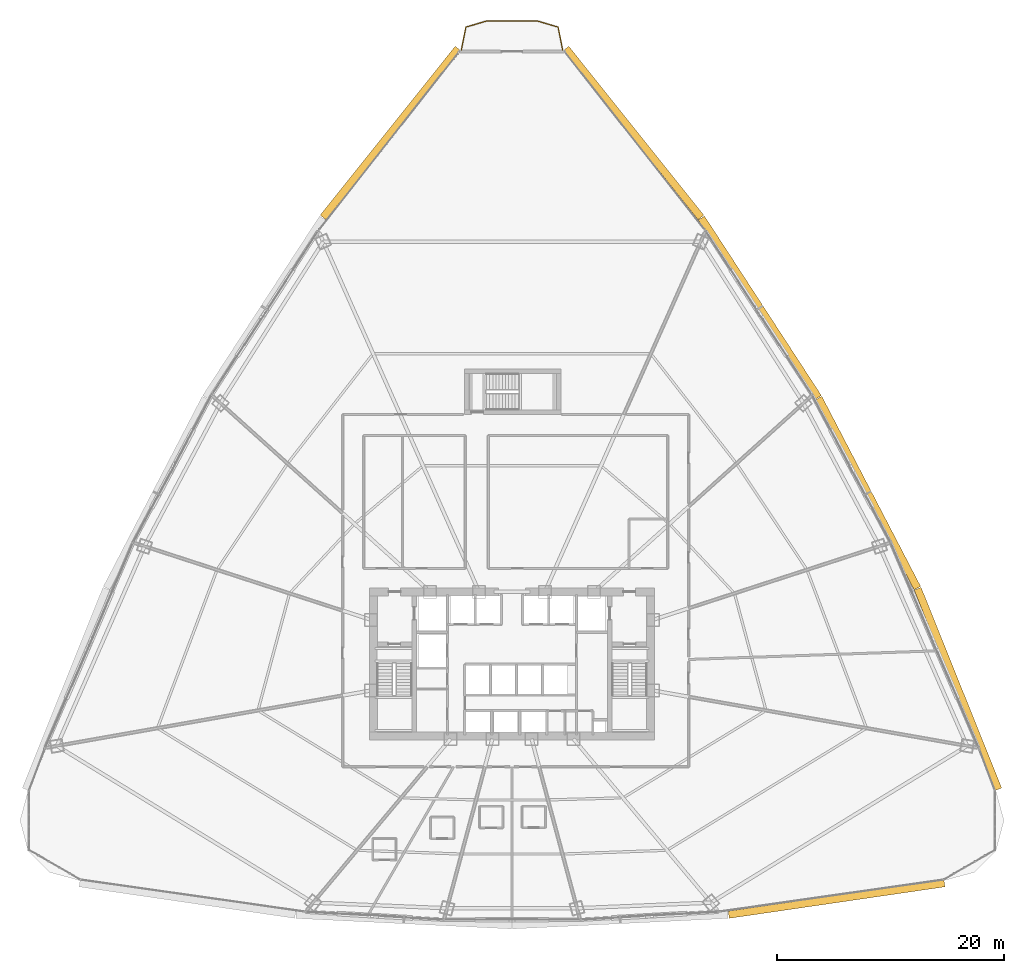
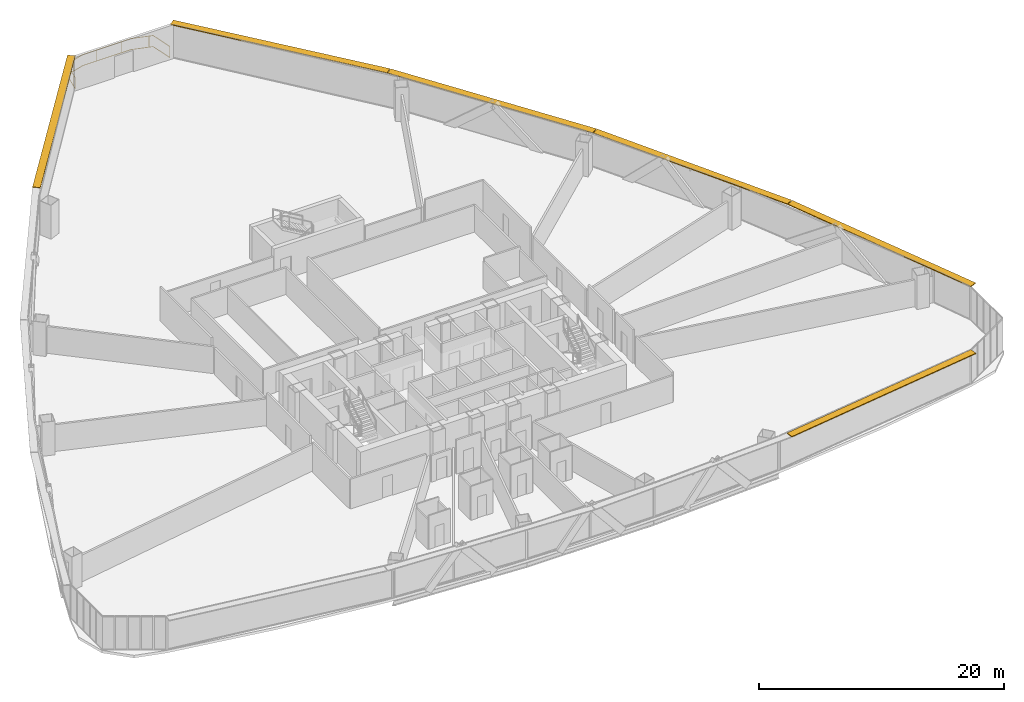
# One storey, part 40 of 40: 6 shading devices, 1 railing.
"""IFC4 building model written with IfcOpenShell, lengths in metres."""

from ifc_helpers import new_model, si_unit, direction, frame, origin, origin_2d, place, context, subcontext, project, spatial, rectangle, extrude, source, transform, mapped, material, layer, layer_set, type_object, element, save


model = new_model("IFC4")

# Units and contexts
model_context = context("Model", 3, precision=1e-05, world=origin(), true_north=direction((0.0, 1.0)))
body_context = subcontext(model_context, "Body", "Model", "MODEL_VIEW")
ifc_project = project(units=[si_unit("LENGTHUNIT", "METRE"), si_unit("AREAUNIT", "SQUARE_METRE"), si_unit("VOLUMEUNIT", "CUBIC_METRE"), si_unit("PLANEANGLEUNIT", "RADIAN"), si_unit("MASSUNIT", "GRAM", prefix="KILO"), si_unit("THERMODYNAMICTEMPERATUREUNIT", "KELVIN"), si_unit("POWERUNIT", "WATT")], contexts=[model_context])

# Site, building, storey
site_placement = place(None, origin())
site = spatial("IfcSite", under=ifc_project, at=site_placement, CompositionType="ELEMENT")
building_placement = place(site_placement, origin())
building = spatial("IfcBuilding", under=site, at=building_placement, Name="Yunzhuo Pagoda Commons", CompositionType="ELEMENT")
storey_placement = place(building_placement, frame((0.0, 0.0, 66.699951171875)))
storey = spatial("IfcBuildingStorey", under=building, at=storey_placement, Name="L17", CompositionType="ELEMENT", Elevation=66.699951171875)

# Railing
ifc_material = material(Name="Anodized aluminium 6063-T6", Category="aluminium")
railing_type = type_object("IfcRailingType", Name="RL-BAL1 Exterior Terrace & Balcony Balustrade 1150", PredefinedType="BALUSTRADE", material=ifc_material)
railing_placement = place(storey_placement, frame((52.462890625, 87.865234375, 0.0)))
element("IfcRailing", 1, at=railing_placement, inside=storey, type_object=railing_type, Name="L17 corner balcony balustrade V3", PredefinedType="BALUSTRADE", context=body_context, shape_type="SweptSolid", body=[
    extrude(rectangle(XDim=0.048095703125, YDim=0.048095703125, at=origin_2d()), frame((0.0, 0.0, 1.1259765625), z_axis=(-0.194200568098, 0.980961843983, 0.0), x_axis=(-0.980961843983, -0.194200568098, 0.0)), (0.0, 0.0, 1.0), 2.059326171875),
    extrude(rectangle(XDim=0.048095703125, YDim=0.048095703125, at=origin_2d()), frame((0.0, 0.0, 0.02392578125), z_axis=(-0.194200568098, 0.980961843983, 0.0), x_axis=(-0.980961843983, -0.194200568098, 0.0)), (0.0, 0.0, 1.0), 2.059326171875),
    extrude(rectangle(XDim=0.048095703125, YDim=0.048095703125, at=origin_2d()), frame((-0.39990234375, 2.02001953125, 1.1259765625), z_axis=(-0.958912727706, 0.283701217205, 0.0), x_axis=(-0.283701217205, -0.958912727706, 0.0)), (0.0, 0.0, 1.0), 1.8681640625),
    extrude(rectangle(XDim=0.048095703125, YDim=0.048095703125, at=origin_2d()), frame((-0.39990234375, 2.02001953125, 0.02392578125), z_axis=(-0.958912727706, 0.283701217205, 0.0), x_axis=(-0.283701217205, -0.958912727706, 0.0)), (0.0, 0.0, 1.0), 1.8681640625),
    extrude(rectangle(XDim=0.048095703125, YDim=0.048095703125, at=origin_2d()), frame((-2.19140625, 2.550048828125, 1.1259765625), z_axis=(-1.0, 0.0, 0.0), x_axis=(0.0, -1.0, 0.0)), (0.0, 0.0, 1.0), 4.54296875),
    extrude(rectangle(XDim=0.048095703125, YDim=0.048095703125, at=origin_2d()), frame((-2.19140625, 2.550048828125, 0.02392578125), z_axis=(-1.0, 0.0, 0.0), x_axis=(0.0, -1.0, 0.0)), (0.0, 0.0, 1.0), 4.54296875),
    extrude(rectangle(XDim=0.048095703125, YDim=0.048095703125, at=origin_2d()), frame((-6.734375, 2.550048828125, 1.1259765625), z_axis=(-0.958912727706, -0.283701217205, 0.0), x_axis=(0.283701217205, -0.958912727706, 0.0)), (0.0, 0.0, 1.0), 1.8681640625),
    extrude(rectangle(XDim=0.048095703125, YDim=0.048095703125, at=origin_2d()), frame((-6.734375, 2.550048828125, 0.02392578125), z_axis=(-0.958912727706, -0.283701217205, 0.0), x_axis=(0.283701217205, -0.958912727706, 0.0)), (0.0, 0.0, 1.0), 1.8681640625),
    extrude(rectangle(XDim=0.048095703125, YDim=0.048095703125, at=origin_2d()), frame((-8.52587890625, 2.02001953125, 1.1259765625), z_axis=(-0.194200568098, -0.980961843983, 0.0), x_axis=(0.980961843983, -0.194200568098, 0.0)), (0.0, 0.0, 1.0), 2.059326171875),
    extrude(rectangle(XDim=0.048095703125, YDim=0.048095703125, at=origin_2d()), frame((-8.52587890625, 2.02001953125, 0.02392578125), z_axis=(-0.194200568098, -0.980961843983, 0.0), x_axis=(0.980961843983, -0.194200568098, 0.0)), (0.0, 0.0, 1.0), 2.059326171875),
    extrude(rectangle(XDim=0.0419921875, YDim=0.0419921875, at=origin_2d()), origin(), (0.0, 0.0, 1.0), 1.101806640625),
    extrude(rectangle(XDim=0.0419921875, YDim=0.0419921875, at=origin_2d()), frame((-0.7265625, 2.11669921875, 0.0)), (0.0, 0.0, 1.0), 1.101806640625),
    extrude(rectangle(XDim=0.0419921875, YDim=0.0419921875, at=origin_2d()), frame((-3.06396484375, 2.550048828125, 0.0)), (0.0, 0.0, 1.0), 1.101806640625),
    extrude(rectangle(XDim=0.0419921875, YDim=0.0419921875, at=origin_2d()), frame((-5.4638671875, 2.550048828125, 0.0)), (0.0, 0.0, 1.0), 1.101806640625),
    extrude(rectangle(XDim=0.0419921875, YDim=0.0419921875, at=origin_2d()), frame((-7.817626953125, 2.2294921875, 0.0)), (0.0, 0.0, 1.0), 1.101806640625),
    extrude(rectangle(XDim=0.0419921875, YDim=0.0419921875, at=origin_2d()), frame((-8.848388671875, 0.390380859375, 0.0)), (0.0, 0.0, 1.0), 1.101806640625),
    extrude(rectangle(XDim=0.0419921875, YDim=0.0419921875, at=origin_2d()), frame((-8.92578125, 0.0, 0.0)), (0.0, 0.0, 1.0), 1.101806640625),
])

# Shading devices
ifc_layer = layer(ifc_material, 0.080078125)
ifc_layer_set = layer_set([ifc_layer], Name="Anodized aluminium 6063-T6")
shading_device_type = type_object("IfcShadingDeviceType", Name="SH-SUN1 Pagoda Horizontal Sunshade Eave 650", PredefinedType="USERDEFINED", material=ifc_layer_set)
shared_shape_1 = source(origin(), body_context, "Body", "SweptSolid", [
    extrude(rectangle(XDim=19.1787109375, YDim=0.64990234375, at=origin_2d()), origin(), (0.0, 0.0, 1.0), 0.080078125),
])
shading_device_1_placement = place(storey_placement, frame((76.560302734375, 13.1708984375, 3.2900390625), z_axis=(0.0, 0.0, 1.0), x_axis=(0.989510666697, 0.144459823108, 0.0)))
element("IfcShadingDevice", 2, at=shading_device_1_placement, inside=storey, type_object=shading_device_type, Name="L17 horizontal pagoda sunshade eave F1.4", ObjectType="SUNSHADE", PredefinedType="USERDEFINED", context=body_context, shape_type="MappedRepresentation", body=[
    mapped(shared_shape_1, transform((0.0, 0.0, 0.0), scale=1.0)),
])
shared_shape_2 = source(origin(), body_context, "Body", "SweptSolid", [
    extrude(rectangle(XDim=19.0244140625, YDim=0.64990234375, at=origin_2d()), origin(), (0.0, 0.0, 1.0), 0.080078125),
])
shading_device_2_placement = place(storey_placement, frame((87.244384765625, 31.642333984375, 3.2900390625), z_axis=(0.0, 0.0, 1.0), x_axis=(-0.372987782576, 0.927836253899, 0.0)))
element("IfcShadingDevice", 3, at=shading_device_2_placement, inside=storey, type_object=shading_device_type, Name="L17 horizontal pagoda sunshade eave F2.1", ObjectType="SUNSHADE", PredefinedType="USERDEFINED", context=body_context, shape_type="MappedRepresentation", body=[
    mapped(shared_shape_2, transform((0.0, 0.0, 0.0), scale=1.0)),
])
shared_shape_3 = source(origin(), body_context, "Body", "SweptSolid", [
    extrude(rectangle(XDim=18.843994140625, YDim=0.64990234375, at=origin_2d()), origin(), (0.0, 0.0, 1.0), 0.080078125),
])
for number, where, z_axis, x_axis, name in (
    (4, (79.324462890625, 48.8857421875, 3.2900390625), (0.0, 0.0, 1.0), (-0.461206683033, 0.88729273384, 0.0), "L17 horizontal pagoda sunshade eave F2.2"),
    (5, (69.803955078125, 65.1953125, 3.2900390625), (0.0, 0.0, 1.0), (-0.545838756973, 0.837890238269, 0.0), "L17 horizontal pagoda sunshade eave F2.3"),
):
    element("IfcShadingDevice", number, at=place(storey_placement, frame(where, z_axis=z_axis, x_axis=x_axis)), inside=storey, type_object=shading_device_type, Name=name, ObjectType="SUNSHADE", PredefinedType="USERDEFINED", context=body_context, shape_type="MappedRepresentation", body=[
        mapped(shared_shape_3, transform((0.0, 0.0, 0.0), scale=1.0)),
    ])
shared_shape_4 = source(origin(), body_context, "Body", "SweptSolid", [
    extrude(rectangle(XDim=19.024658203125, YDim=0.64990234375, at=origin_2d()), origin(), (0.0, 0.0, 1.0), 0.080078125),
])
for number, where, z_axis, x_axis, name in (
    (6, (58.683349609375, 80.5703125, 3.2900390625), (0.0, 0.0, 1.0), (-0.624520471688, 0.781008438138, 0.0), "L17 horizontal pagoda sunshade eave F2.4"),
    (7, (37.316650390625, 80.5703125, 3.2900390625), (0.0, 0.0, 1.0), (-0.624520471688, -0.781008438138, 0.0), "L17 horizontal pagoda sunshade eave F3.1"),
):
    element("IfcShadingDevice", number, at=place(storey_placement, frame(where, z_axis=z_axis, x_axis=x_axis)), inside=storey, type_object=shading_device_type, Name=name, ObjectType="SUNSHADE", PredefinedType="USERDEFINED", context=body_context, shape_type="MappedRepresentation", body=[
        mapped(shared_shape_4, transform((0.0, 0.0, 0.0), scale=1.0)),
    ])

save(model, "model.ifc")
